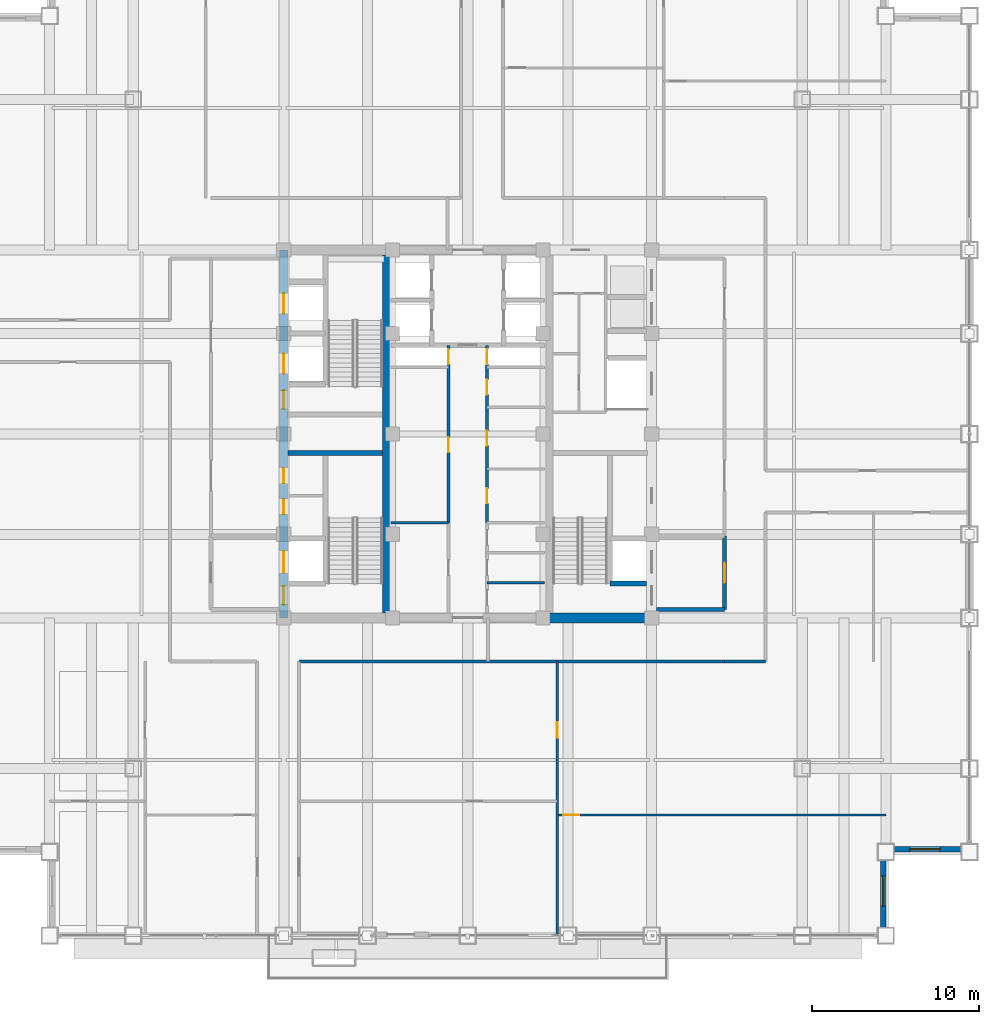
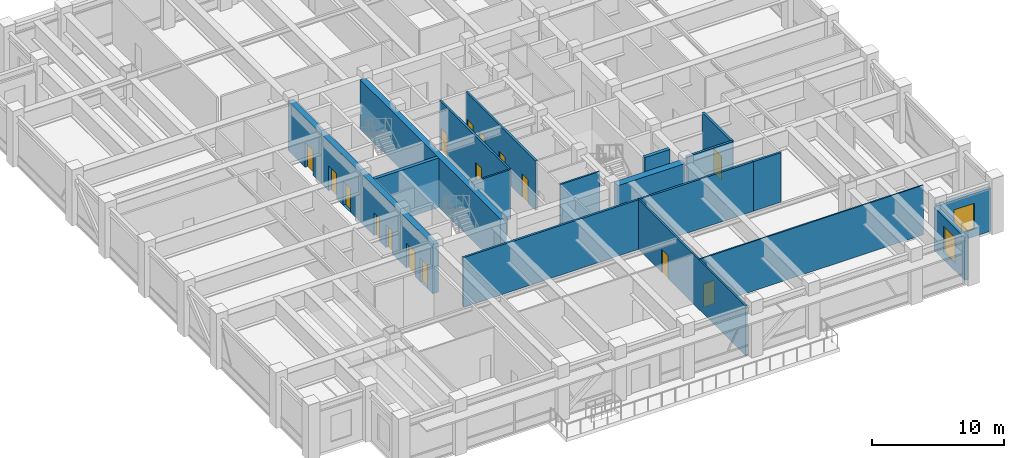
# One storey, part 24 of 33: 17 walls, 16 doors, 2 windows, 18 openings.
"""IFC4 building model written with IfcOpenShell, lengths in metres."""

from ifc_helpers import new_model, si_unit, direction, frame, frame_2d, origin, place, context, subcontext, project, spatial, rectangle, extrude, source, transform, mapped, material, layer, layer_set, type_object, element, fill, save


model = new_model("IFC4")

# Units and contexts
model_context = context("Model", 3, precision=1e-05, world=origin(), true_north=direction((0.0, 1.0)))
body_context = subcontext(model_context, "Body", "Model", "MODEL_VIEW")
ifc_project = project(units=[si_unit("LENGTHUNIT", "METRE"), si_unit("AREAUNIT", "SQUARE_METRE"), si_unit("VOLUMEUNIT", "CUBIC_METRE"), si_unit("PLANEANGLEUNIT", "RADIAN"), si_unit("MASSUNIT", "GRAM", prefix="KILO")], contexts=[model_context])

# Site, building, storey
site_placement = place(None, origin())
site = spatial("IfcSite", under=ifc_project, at=site_placement, CompositionType="ELEMENT")
building_placement = place(site_placement, origin())
building = spatial("IfcBuilding", under=site, at=building_placement, Name="Khorayat Bourse Tower", CompositionType="ELEMENT")
storey_placement = place(building_placement, frame((0.0, 0.0, 263.10009765625)))
storey = spatial("IfcBuildingStorey", under=building, at=storey_placement, Name="L62", CompositionType="ELEMENT", Elevation=263.10009765625)

# Wall, openings, doors
ifc_material_1 = material(Name="Concrete C52/65", Category="concrete")
ifc_layer_1 = layer(ifc_material_1, 0.5)
ifc_layer_set_1 = layer_set([ifc_layer_1], Name="Concrete C52/65")
wall_type_1 = type_object("IfcWallType", Name="WAL-CORE-500", PredefinedType="SHEAR", material=ifc_layer_set_1)
shared_shape_1 = source(origin(), body_context, "Body", "SweptSolid", [
    extrude(rectangle(XDim=22.0, YDim=0.5, at=frame_2d((11.0, 0.0))), origin(), (0.0, 0.0, 1.0), 4.599853515625),
])
wall_1_placement = place(storey_placement, frame((-11.0, -11.0, 0.0), z_axis=(0.0, 0.0, 1.0), x_axis=(0.0, 1.0, 0.0)))
wall_1 = element("IfcWall", 1, at=wall_1_placement, inside=storey, type_object=wall_type_1, Name="L62 Core Shear Wall CORE-W", PredefinedType="SHEAR", context=body_context, shape_type="MappedRepresentation", body=[
    mapped(shared_shape_1, transform((0.0, 0.0, 0.0), scale=1.0)),
])
shared_shape_2 = source(origin(), body_context, "Body", "SweptSolid", [
    extrude(rectangle(XDim=1.10009765625, YDim=2.199951171875, at=frame_2d((0.550048828125, 1.10009765625))), frame((0.0, 0.260009765625, 0.0), z_axis=(0.0, -1.0, 0.0), x_axis=(1.0, 0.0, 0.0)), (0.0, 0.0, 1.0), 0.52001953125),
])
opening_1_placement = place(wall_1_placement, frame((0.800048828125, 0.0, 0.0)))
opening_1 = element("IfcOpeningElement", 2, at=opening_1_placement, cuts=wall_1, Name="Opening DI-01", PredefinedType="OPENING", context=body_context, shape_type="MappedRepresentation", body=[
    mapped(shared_shape_2, transform((0.0, 0.0, 0.0), scale=1.0)),
])
opening_2_placement = place(wall_1_placement, frame((12.5, 0.0, 0.0)))
opening_2 = element("IfcOpeningElement", 3, at=opening_2_placement, cuts=wall_1, Name="Opening DI-01", PredefinedType="OPENING", context=body_context, shape_type="MappedRepresentation", body=[
    mapped(shared_shape_2, transform((0.0, 0.0, 0.0), scale=1.0)),
])
shared_shape_3 = source(origin(), body_context, "Body", "SweptSolid", [
    extrude(rectangle(XDim=0.89990234375, YDim=2.14990234375, at=frame_2d((0.449951171875, 1.074951171875))), frame((0.0, 0.260009765625, 0.0), z_axis=(0.0, -1.0, 0.0), x_axis=(1.0, 0.0, 0.0)), (0.0, 0.0, 1.0), 0.52001953125),
])
opening_3_placement = place(wall_1_placement, frame((6.199951171875, 0.0, 0.0)))
opening_3 = element("IfcOpeningElement", 4, at=opening_3_placement, cuts=wall_1, Name="Opening DI-06", PredefinedType="OPENING", context=body_context, shape_type="MappedRepresentation", body=[
    mapped(shared_shape_3, transform((0.0, 0.0, 0.0), scale=1.0)),
])
opening_4_placement = place(wall_1_placement, frame((8.050048828125, 0.0, 0.0)))
opening_4 = element("IfcOpeningElement", 5, at=opening_4_placement, cuts=wall_1, Name="Opening DI-06", PredefinedType="OPENING", context=body_context, shape_type="MappedRepresentation", body=[
    mapped(shared_shape_3, transform((0.0, 0.0, 0.0), scale=1.0)),
])
shared_shape_4 = source(origin(), body_context, "Body", "SweptSolid", [
    extrude(rectangle(XDim=1.199951171875, YDim=2.300048828125, at=frame_2d((0.60009765625, 1.14990234375))), frame((0.0, 0.260009765625, 0.0), z_axis=(0.0, -1.0, 0.0), x_axis=(1.0, 0.0, 0.0)), (0.0, 0.0, 1.0), 0.52001953125),
])
opening_5_placement = place(wall_1_placement, frame((14.60009765625, 0.0, 0.0)))
opening_5 = element("IfcOpeningElement", 6, at=opening_5_placement, cuts=wall_1, Name="Opening LD-01", PredefinedType="OPENING", context=body_context, shape_type="MappedRepresentation", body=[
    mapped(shared_shape_4, transform((0.0, 0.0, 0.0), scale=1.0)),
])
opening_6_placement = place(wall_1_placement, frame((18.199951171875, 0.0, 0.0)))
opening_6 = element("IfcOpeningElement", 7, at=opening_6_placement, cuts=wall_1, Name="Opening LD-01", PredefinedType="OPENING", context=body_context, shape_type="MappedRepresentation", body=[
    mapped(shared_shape_4, transform((0.0, 0.0, 0.0), scale=1.0)),
])
shared_shape_5 = source(origin(), body_context, "Body", "SweptSolid", [
    extrude(rectangle(XDim=1.300048828125, YDim=2.300048828125, at=frame_2d((0.64990234375, 1.14990234375))), frame((0.0, 0.260009765625, 0.0), z_axis=(0.0, -1.0, 0.0), x_axis=(1.0, 0.0, 0.0)), (0.0, 0.0, 1.0), 0.52001953125),
])
opening_7_placement = place(wall_1_placement, frame((2.699951171875, 0.0, 0.0)))
opening_7 = element("IfcOpeningElement", 8, at=opening_7_placement, cuts=wall_1, Name="Opening LD-02", PredefinedType="OPENING", context=body_context, shape_type="MappedRepresentation", body=[
    mapped(shared_shape_5, transform((0.0, 0.0, 0.0), scale=1.0)),
])
ifc_material_2 = material(Name="Fire-rated steel acoustic leaf", Category="steel")
door_type_1 = type_object("IfcDoorType", Name="DR-INT-STAIR-1100", OperationType="NOTDEFINED", PredefinedType="DOOR", material=ifc_material_2)
shared_shape_6 = source(origin(), body_context, "Body", "SweptSolid", [
    extrude(rectangle(XDim=1.10009765625, YDim=2.199951171875, at=frame_2d((0.550048828125, 1.10009765625))), frame((0.0, 0.02490234375, 0.0), z_axis=(0.0, -1.0, 0.0), x_axis=(1.0, 0.0, 0.0)), (0.0, 0.0, 1.0), 0.050048828125),
])
door_1_placement = place(opening_1_placement, origin())
door_1 = element("IfcDoor", 9, at=door_1_placement, inside=storey, type_object=door_type_1, Name="L62 Exit Stair 1 Door", OperationType="SINGLE_SWING_RIGHT", OverallHeight=2.199951171875, OverallWidth=1.10009765625, PredefinedType="DOOR", context=body_context, shape_type="MappedRepresentation", body=[
    mapped(shared_shape_6, transform((0.0, 0.0, 0.0), scale=1.0)),
])
fill(opening_1, door_1)
door_2_placement = place(opening_2_placement, origin())
door_2 = element("IfcDoor", 10, at=door_2_placement, inside=storey, type_object=door_type_1, Name="L62 Exit Stair 2 Door", OperationType="SINGLE_SWING_RIGHT", OverallHeight=2.199951171875, OverallWidth=1.10009765625, PredefinedType="DOOR", context=body_context, shape_type="MappedRepresentation", body=[
    mapped(shared_shape_6, transform((0.0, 0.0, 0.0), scale=1.0)),
])
fill(opening_2, door_2)
ifc_material_3 = material(Name="Moisture-resistant laminate washroom door")
door_type_2 = type_object("IfcDoorType", Name="DR-INT-WC-900", OperationType="NOTDEFINED", PredefinedType="DOOR", material=ifc_material_3)
shared_shape_7 = source(origin(), body_context, "Body", "SweptSolid", [
    extrude(rectangle(XDim=0.89990234375, YDim=2.14990234375, at=frame_2d((0.449951171875, 1.074951171875))), frame((0.0, 0.02490234375, 0.0), z_axis=(0.0, -1.0, 0.0), x_axis=(1.0, 0.0, 0.0)), (0.0, 0.0, 1.0), 0.050048828125),
])
door_3_placement = place(opening_3_placement, origin())
door_3 = element("IfcDoor", 11, at=door_3_placement, inside=storey, type_object=door_type_2, Name="L62 Electrical Plant Room Door", OperationType="SINGLE_SWING_RIGHT", OverallHeight=2.14990234375, OverallWidth=0.89990234375, PredefinedType="DOOR", context=body_context, shape_type="MappedRepresentation", body=[
    mapped(shared_shape_7, transform((0.0, 0.0, 0.0), scale=1.0)),
])
fill(opening_3, door_3)
door_4_placement = place(opening_4_placement, origin())
door_4 = element("IfcDoor", 12, at=door_4_placement, inside=storey, type_object=door_type_2, Name="L62 Cleaner Storage Room Door", OperationType="SINGLE_SWING_LEFT", OverallHeight=2.14990234375, OverallWidth=0.89990234375, PredefinedType="DOOR", context=body_context, shape_type="MappedRepresentation", body=[
    mapped(shared_shape_7, transform((0.0, 0.0, 0.0), scale=1.0)),
])
fill(opening_4, door_4)
ifc_material_4 = material(Name="Brushed bronze stainless-steel sliding door", Category="steel")
door_type_3 = type_object("IfcDoorType", Name="DR-LIFT-PASS-1200", OperationType="NOTDEFINED", PredefinedType="DOOR", material=ifc_material_4)
shared_shape_8 = source(origin(), body_context, "Body", "SweptSolid", [
    extrude(rectangle(XDim=1.199951171875, YDim=2.300048828125, at=frame_2d((0.60009765625, 1.14990234375))), frame((0.0, 0.02490234375, 0.0), z_axis=(0.0, -1.0, 0.0), x_axis=(1.0, 0.0, 0.0)), (0.0, 0.0, 1.0), 0.050048828125),
])
door_5_placement = place(opening_5_placement, origin())
door_5 = element("IfcDoor", 13, at=door_5_placement, inside=storey, type_object=door_type_3, Name="L62 Lift PL-H1 Sliding Landing Door", OperationType="SLIDING_TO_LEFT", OverallHeight=2.300048828125, OverallWidth=1.199951171875, PredefinedType="DOOR", context=body_context, shape_type="MappedRepresentation", body=[
    mapped(shared_shape_8, transform((0.0, 0.0, 0.0), scale=1.0)),
])
fill(opening_5, door_5)
door_6_placement = place(opening_6_placement, origin())
door_6 = element("IfcDoor", 14, at=door_6_placement, inside=storey, type_object=door_type_3, Name="L62 Lift PL-H2 Sliding Landing Door", OperationType="SLIDING_TO_LEFT", OverallHeight=2.300048828125, OverallWidth=1.199951171875, PredefinedType="DOOR", context=body_context, shape_type="MappedRepresentation", body=[
    mapped(shared_shape_8, transform((0.0, 0.0, 0.0), scale=1.0)),
])
fill(opening_6, door_6)
ifc_material_5 = material(Name="Fire-rated stainless-steel sliding landing door", Category="steel")
door_type_4 = type_object("IfcDoorType", Name="DR-LIFT-FF-1300", OperationType="NOTDEFINED", PredefinedType="DOOR", material=ifc_material_5)
shared_shape_9 = source(origin(), body_context, "Body", "SweptSolid", [
    extrude(rectangle(XDim=1.300048828125, YDim=2.300048828125, at=frame_2d((0.64990234375, 1.14990234375))), frame((0.0, 0.02490234375, 0.0), z_axis=(0.0, -1.0, 0.0), x_axis=(1.0, 0.0, 0.0)), (0.0, 0.0, 1.0), 0.050048828125),
])
door_7_placement = place(opening_7_placement, origin())
door_7 = element("IfcDoor", 15, at=door_7_placement, inside=storey, type_object=door_type_4, Name="L62 Lift FFL-01 Sliding Landing Door", OperationType="SLIDING_TO_LEFT", OverallHeight=2.300048828125, OverallWidth=1.300048828125, PredefinedType="DOOR", context=body_context, shape_type="MappedRepresentation", body=[
    mapped(shared_shape_9, transform((0.0, 0.0, 0.0), scale=1.0)),
])
fill(opening_7, door_7)

# Walls
shared_shape_10 = source(origin(), body_context, "Body", "SweptSolid", [
    extrude(rectangle(XDim=21.39990234375, YDim=0.5, at=frame_2d((10.699951171875, 0.0))), origin(), (0.0, 0.0, 1.0), 4.599853515625),
])
wall_2_placement = place(storey_placement, frame((-4.85009765625, -10.699951171875, 0.0), z_axis=(0.0, 0.0, 1.0), x_axis=(0.0, 1.0, 0.0)))
element("IfcWall", 16, at=wall_2_placement, inside=storey, type_object=wall_type_1, Name="L62 Core Shear Wall PIER-W", PredefinedType="SHEAR", context=body_context, shape_type="MappedRepresentation", body=[
    mapped(shared_shape_10, transform((0.0, 0.0, 0.0), scale=1.0)),
])
ifc_material_6 = material(Name="Concrete C60/75", Category="concrete")
ifc_layer_2 = layer(ifc_material_6, 0.60009765625)
ifc_layer_set_2 = layer_set([ifc_layer_2], Name="Concrete C60/75")
wall_type_2 = type_object("IfcWallType", Name="WAL-CORE-600", PredefinedType="SHEAR", material=ifc_layer_set_2)
shared_shape_11 = source(origin(), body_context, "Body", "SweptSolid", [
    extrude(rectangle(XDim=5.89990234375, YDim=0.60009765625, at=frame_2d((2.949951171875, 0.0))), origin(), (0.0, 0.0, 1.0), 4.599853515625),
])
wall_3_placement = place(storey_placement, frame((4.85009765625, -11.0, 0.0), z_axis=(0.0, 0.0, 1.0), x_axis=(1.0, 0.0, 0.0)))
element("IfcWall", 17, at=wall_3_placement, inside=storey, type_object=wall_type_2, Name="L62 Core Shear Wall PIER-ES", PredefinedType="SHEAR", context=body_context, shape_type="MappedRepresentation", body=[
    mapped(shared_shape_11, transform((0.0, 0.0, 0.0), scale=1.0)),
])
ifc_material_7 = material(Name="Concrete C50/60", Category="concrete")
ifc_layer_3 = layer(ifc_material_7, 0.300048828125)
ifc_layer_set_3 = layer_set([ifc_layer_3], Name="Concrete C50/60")
wall_type_3 = type_object("IfcWallType", Name="WAL-SHAFT-300", PredefinedType="SHEAR", material=ifc_layer_set_3)
shared_shape_12 = source(origin(), body_context, "Body", "SweptSolid", [
    extrude(rectangle(XDim=5.64990234375, YDim=0.300048828125, at=frame_2d((2.824951171875, 0.0))), origin(), (0.0, 0.0, 1.0), 4.599853515625),
])
wall_4_placement = place(storey_placement, frame((-10.75, -1.14990234375, 0.0), z_axis=(0.0, 0.0, 1.0), x_axis=(1.0, 0.0, 0.0)))
element("IfcWall", 18, at=wall_4_placement, inside=storey, type_object=wall_type_3, Name="L62 Core Shear Wall ST1-DIV", PredefinedType="SHEAR", context=body_context, shape_type="MappedRepresentation", body=[
    mapped(shared_shape_12, transform((0.0, 0.0, 0.0), scale=1.0)),
])

# Wall, opening, window
ifc_material_8 = material(Name="Precast concrete C45/55", Category="concrete")
ifc_layer_4 = layer(ifc_material_8, 0.320068359375)
ifc_layer_set_4 = layer_set([ifc_layer_4], Name="Precast concrete C45/55")
wall_type_4 = type_object("IfcWallType", Name="WAL-EXT-STONE-320", PredefinedType="STANDARD", material=ifc_layer_set_4)
shared_shape_13 = source(origin(), body_context, "Body", "SweptSolid", [
    extrude(rectangle(XDim=4.679931640625, YDim=0.320068359375, at=frame_2d((2.33984375, 0.0))), origin(), (0.0, 0.0, 1.0), 3.98388671875),
])
wall_5_placement = place(storey_placement, frame((24.840087890625, -29.679931640625, 0.0), z_axis=(0.0, 0.0, 1.0), x_axis=(0.0, 1.0, 0.0)))
wall_5 = element("IfcWall", 19, at=wall_5_placement, inside=storey, type_object=wall_type_4, Name="L62 Re-Entrant Notch Limestone Wall SE-V", PredefinedType="STANDARD", context=body_context, shape_type="MappedRepresentation", body=[
    mapped(shared_shape_13, transform((0.0, 0.0, 0.0), scale=1.0)),
])
shared_shape_14 = source(origin(), body_context, "Body", "SweptSolid", [
    extrude(rectangle(XDim=1.800048828125, YDim=2.39990234375, at=frame_2d((0.89990234375, 1.199951171875))), frame((0.0, 0.169921875, 0.0), z_axis=(0.0, -1.0, 0.0), x_axis=(1.0, 0.0, 0.0)), (0.0, 0.0, 1.0), 0.340087890625),
])
opening_8_placement = place(wall_5_placement, frame((1.43994140625, 0.0, 0.699951171875)))
opening_8 = element("IfcOpeningElement", 20, at=opening_8_placement, cuts=wall_5, Name="Opening WN-04", PredefinedType="OPENING", context=body_context, shape_type="MappedRepresentation", body=[
    mapped(shared_shape_14, transform((0.0, 0.0, 0.0), scale=1.0)),
])
ifc_material_9 = material(Name="Low-E acoustic laminated double glazing", Category="glass")
window_type = type_object("IfcWindowType", Name="WIN-NOTCH-1800x2400", PartitioningType="SINGLE_PANEL", PredefinedType="WINDOW", material=ifc_material_9)
shared_shape_15 = source(origin(), body_context, "Body", "SweptSolid", [
    extrude(rectangle(XDim=1.800048828125, YDim=2.39990234375, at=frame_2d((0.89990234375, 1.199951171875))), frame((0.0, 0.030029296875, 0.0), z_axis=(0.0, -1.0, 0.0), x_axis=(1.0, 0.0, 0.0)), (0.0, 0.0, 1.0), 0.06005859375),
])
window_1_placement = place(opening_8_placement, origin())
window_1 = element("IfcWindow", 21, at=window_1_placement, inside=storey, type_object=window_type, Name="L62 Facade Window 1", OverallHeight=2.39990234375, OverallWidth=1.800048828125, PartitioningType="SINGLE_PANEL", PredefinedType="WINDOW", context=body_context, shape_type="MappedRepresentation", body=[
    mapped(shared_shape_15, transform((0.0, 0.0, 0.0), scale=1.0)),
])
fill(opening_8, window_1)

wall_6_placement = place(storey_placement, frame((25.0, -24.840087890625, 0.0), z_axis=(0.0, 0.0, 1.0), x_axis=(1.0, 0.0, 0.0)))
wall_6 = element("IfcWall", 22, at=wall_6_placement, inside=storey, type_object=wall_type_4, Name="L62 Re-Entrant Notch Limestone Wall SE-H", PredefinedType="STANDARD", context=body_context, shape_type="MappedRepresentation", body=[
    mapped(shared_shape_13, transform((0.0, 0.0, 0.0), scale=1.0)),
])
opening_9_placement = place(wall_6_placement, frame((1.43994140625, 0.0, 0.699951171875)))
opening_9 = element("IfcOpeningElement", 23, at=opening_9_placement, cuts=wall_6, Name="Opening WN-04", PredefinedType="OPENING", context=body_context, shape_type="MappedRepresentation", body=[
    mapped(shared_shape_14, transform((0.0, 0.0, 0.0), scale=1.0)),
])
window_2_placement = place(opening_9_placement, origin())
window_2 = element("IfcWindow", 24, at=window_2_placement, inside=storey, type_object=window_type, Name="L62 Facade Window 1", OverallHeight=2.39990234375, OverallWidth=1.800048828125, PartitioningType="SINGLE_PANEL", PredefinedType="WINDOW", context=body_context, shape_type="MappedRepresentation", body=[
    mapped(shared_shape_15, transform((0.0, 0.0, 0.0), scale=1.0)),
])
fill(opening_9, window_2)

# Walls
shared_shape_16 = source(origin(), body_context, "Body", "SweptSolid", [
    extrude(rectangle(XDim=2.199951171875, YDim=0.300048828125, at=frame_2d((1.10009765625, 0.0))), origin(), (0.0, 0.0, 1.0), 4.599853515625),
])
wall_7_placement = place(storey_placement, frame((8.5, -8.949951171875, 0.0), z_axis=(0.0, 0.0, 1.0), x_axis=(1.0, 0.0, 0.0)))
element("IfcWall", 25, at=wall_7_placement, inside=storey, type_object=wall_type_3, Name="L62 Partition WAL-L62-EPIER-FF2S", PredefinedType="SHEAR", context=body_context, shape_type="MappedRepresentation", body=[
    mapped(shared_shape_16, transform((0.0, 0.0, 0.0), scale=1.0)),
])
ifc_material_10 = material(Name="Aerated concrete blockwork", Category="masonry")
ifc_layer_5 = layer(ifc_material_10, 0.219970703125)
ifc_layer_set_5 = layer_set([ifc_layer_5], Name="Aerated concrete blockwork")
wall_type_5 = type_object("IfcWallType", Name="WAL-PART-FF-220", PredefinedType="PARTITIONING", material=ifc_layer_set_5)
shared_shape_17 = source(origin(), body_context, "Body", "SweptSolid", [
    extrude(rectangle(XDim=4.050048828125, YDim=0.219970703125, at=frame_2d((2.02490234375, 0.0))), origin(), (0.0, 0.0, 1.0), 4.599853515625),
])
wall_8_placement = place(storey_placement, frame((11.300048828125, -10.5, 0.0), z_axis=(0.0, 0.0, 1.0), x_axis=(1.0, 0.0, 0.0)))
element("IfcWall", 26, at=wall_8_placement, inside=storey, type_object=wall_type_5, Name="L62 Partition WAL-L62-FFLE-S", PredefinedType="PARTITIONING", context=body_context, shape_type="MappedRepresentation", body=[
    mapped(shared_shape_17, transform((0.0, 0.0, 0.0), scale=1.0)),
])

# Wall, opening, door
shared_shape_18 = source(origin(), body_context, "Body", "SweptSolid", [
    extrude(rectangle(XDim=4.39990234375, YDim=0.219970703125, at=frame_2d((2.199951171875, 0.0))), origin(), (0.0, 0.0, 1.0), 4.599853515625),
])
wall_9_placement = place(storey_placement, frame((15.35009765625, -10.5, 0.0), z_axis=(0.0, 0.0, 1.0), x_axis=(0.0, 1.0, 0.0)))
wall_9 = element("IfcWall", 27, at=wall_9_placement, inside=storey, type_object=wall_type_5, Name="L62 Partition WAL-L62-FFLE-E", PredefinedType="PARTITIONING", context=body_context, shape_type="MappedRepresentation", body=[
    mapped(shared_shape_18, transform((0.0, 0.0, 0.0), scale=1.0)),
])
shared_shape_19 = source(origin(), body_context, "Body", "SweptSolid", [
    extrude(rectangle(XDim=1.199951171875, YDim=2.199951171875, at=frame_2d((0.60009765625, 1.10009765625))), frame((0.0, 0.119873046875, 0.0), z_axis=(0.0, -1.0, 0.0), x_axis=(1.0, 0.0, 0.0)), (0.0, 0.0, 1.0), 0.239990234375),
])
opening_10_placement = place(wall_9_placement, frame((1.60009765625, 0.0, 0.0)))
opening_10 = element("IfcOpeningElement", 28, at=opening_10_placement, cuts=wall_9, Name="Opening DI-02", PredefinedType="OPENING", context=body_context, shape_type="MappedRepresentation", body=[
    mapped(shared_shape_19, transform((0.0, 0.0, 0.0), scale=1.0)),
])
ifc_material_11 = material(Name="Fire-rated steel double-seal leaf", Category="steel")
door_type_5 = type_object("IfcDoorType", Name="DR-INT-FFLOBBY-1200", OperationType="NOTDEFINED", PredefinedType="DOOR", material=ifc_material_11)
shared_shape_20 = source(origin(), body_context, "Body", "SweptSolid", [
    extrude(rectangle(XDim=1.199951171875, YDim=2.199951171875, at=frame_2d((0.60009765625, 1.10009765625))), frame((0.0, 0.02490234375, 0.0), z_axis=(0.0, -1.0, 0.0), x_axis=(1.0, 0.0, 0.0)), (0.0, 0.0, 1.0), 0.050048828125),
])
door_8_placement = place(opening_10_placement, origin())
door_8 = element("IfcDoor", 29, at=door_8_placement, inside=storey, type_object=door_type_5, Name="L62 East Firefighting Lobby Door", OperationType="SINGLE_SWING_RIGHT", OverallHeight=2.199951171875, OverallWidth=1.199951171875, PredefinedType="DOOR", context=body_context, shape_type="MappedRepresentation", body=[
    mapped(shared_shape_20, transform((0.0, 0.0, 0.0), scale=1.0)),
])
fill(opening_10, door_8)

# Walls
ifc_material_12 = material(Name="Gypsum plasterboard twin-frame partition")
ifc_layer_6 = layer(ifc_material_12, 0.14990234375)
ifc_layer_set_6 = layer_set([ifc_layer_6], Name="Gypsum plasterboard twin-frame partition")
wall_type_6 = type_object("IfcWallType", Name="WAL-PART-SUITE-150", PredefinedType="PARTITIONING", material=ifc_layer_set_6)
shared_shape_21 = source(origin(), body_context, "Body", "SweptSolid", [
    extrude(rectangle(XDim=3.4501953125, YDim=0.14990234375, at=frame_2d((1.72509765625, 0.0))), origin(), (0.0, 0.0, 1.0), 4.599853515625),
])
wall_10_placement = place(storey_placement, frame((-4.60009765625, -5.300048828125, 0.0), z_axis=(0.0, 0.0, 1.0), x_axis=(1.0, 0.0, 0.0)))
element("IfcWall", 30, at=wall_10_placement, inside=storey, type_object=wall_type_6, Name="L62 Partition WAL-L62-FB1-NW", PredefinedType="PARTITIONING", context=body_context, shape_type="MappedRepresentation", body=[
    mapped(shared_shape_21, transform((0.0, 0.0, 0.0), scale=1.0)),
])
ifc_material_13 = material(Name="Moisture-resistant masonry partition", Category="masonry")
ifc_layer_7 = layer(ifc_material_13, 0.139892578125)
ifc_layer_set_7 = layer_set([ifc_layer_7], Name="Moisture-resistant masonry partition")
wall_type_7 = type_object("IfcWallType", Name="WAL-PART-WET-140", PredefinedType="PARTITIONING", material=ifc_layer_set_7)
shared_shape_22 = source(origin(), body_context, "Body", "SweptSolid", [
    extrude(rectangle(XDim=3.4501953125, YDim=0.139892578125, at=frame_2d((1.72509765625, 0.0))), origin(), (0.0, 0.0, 1.0), 4.599853515625),
])
wall_11_placement = place(storey_placement, frame((1.14990234375, -8.89990234375, 0.0), z_axis=(0.0, 0.0, 1.0), x_axis=(1.0, 0.0, 0.0)))
element("IfcWall", 31, at=wall_11_placement, inside=storey, type_object=wall_type_7, Name="L62 Partition WAL-L62-FB1E-D1", PredefinedType="PARTITIONING", context=body_context, shape_type="MappedRepresentation", body=[
    mapped(shared_shape_22, transform((0.0, 0.0, 0.0), scale=1.0)),
])

# Wall, openings, doors
ifc_material_14 = material(Name="Gypsum plasterboard acoustic stud wall")
ifc_layer_8 = layer(ifc_material_14, 0.179931640625)
ifc_layer_set_8 = layer_set([ifc_layer_8], Name="Gypsum plasterboard acoustic stud wall")
wall_type_8 = type_object("IfcWallType", Name="WAL-PART-CORR-180", PredefinedType="PARTITIONING", material=ifc_layer_set_8)
shared_shape_23 = source(origin(), body_context, "Body", "SweptSolid", [
    extrude(rectangle(XDim=10.60009765625, YDim=0.179931640625, at=frame_2d((5.300048828125, 0.0))), origin(), (0.0, 0.0, 1.0), 4.599853515625),
])
wall_12_placement = place(storey_placement, frame((-1.14990234375, -5.300048828125, 0.0), z_axis=(0.0, 0.0, 1.0), x_axis=(0.0, 1.0, 0.0)))
wall_12 = element("IfcWall", 32, at=wall_12_placement, inside=storey, type_object=wall_type_8, Name="L62 Partition WAL-L62-CMW-L", PredefinedType="PARTITIONING", context=body_context, shape_type="MappedRepresentation", body=[
    mapped(shared_shape_23, transform((0.0, 0.0, 0.0), scale=1.0)),
])
shared_shape_24 = source(origin(), body_context, "Body", "SweptSolid", [
    extrude(rectangle(XDim=0.89990234375, YDim=2.14990234375, at=frame_2d((0.449951171875, 1.074951171875))), frame((0.0, 0.099853515625, 0.0), z_axis=(0.0, -1.0, 0.0), x_axis=(1.0, 0.0, 0.0)), (0.0, 0.0, 1.0), 0.199951171875),
])
opening_11_placement = place(wall_12_placement, frame((4.199951171875, 0.0, 0.0)))
opening_11 = element("IfcOpeningElement", 33, at=opening_11_placement, cuts=wall_12, Name="Opening DI-06", PredefinedType="OPENING", context=body_context, shape_type="MappedRepresentation", body=[
    mapped(shared_shape_24, transform((0.0, 0.0, 0.0), scale=1.0)),
])
opening_12_placement = place(wall_12_placement, frame((9.47509765625, 0.0, 0.0)))
opening_12 = element("IfcOpeningElement", 34, at=opening_12_placement, cuts=wall_12, Name="Opening DI-06", PredefinedType="OPENING", context=body_context, shape_type="MappedRepresentation", body=[
    mapped(shared_shape_24, transform((0.0, 0.0, 0.0), scale=1.0)),
])
door_9_placement = place(opening_11_placement, origin())
door_9 = element("IfcDoor", 35, at=door_9_placement, inside=storey, type_object=door_type_2, Name="L62 Male Core Washroom Door", OperationType="SINGLE_SWING_RIGHT", OverallHeight=2.14990234375, OverallWidth=0.89990234375, PredefinedType="DOOR", context=body_context, shape_type="MappedRepresentation", body=[
    mapped(shared_shape_7, transform((0.0, 0.0, 0.0), scale=1.0)),
])
fill(opening_11, door_9)
door_10_placement = place(opening_12_placement, origin())
door_10 = element("IfcDoor", 36, at=door_10_placement, inside=storey, type_object=door_type_2, Name="L62 West Core Riser Door", OperationType="SINGLE_SWING_LEFT", OverallHeight=2.14990234375, OverallWidth=0.89990234375, PredefinedType="DOOR", context=body_context, shape_type="MappedRepresentation", body=[
    mapped(shared_shape_7, transform((0.0, 0.0, 0.0), scale=1.0)),
])
fill(opening_12, door_10)

wall_13_placement = place(storey_placement, frame((1.14990234375, -5.300048828125, 0.0), z_axis=(0.0, 0.0, 1.0), x_axis=(0.0, 1.0, 0.0)))
wall_13 = element("IfcWall", 37, at=wall_13_placement, inside=storey, type_object=wall_type_8, Name="L62 Partition WAL-L62-CME-L", PredefinedType="PARTITIONING", context=body_context, shape_type="MappedRepresentation", body=[
    mapped(shared_shape_23, transform((0.0, 0.0, 0.0), scale=1.0)),
])
opening_13_placement = place(wall_13_placement, frame((1.14990234375, 0.0, 0.0)))
opening_13 = element("IfcOpeningElement", 38, at=opening_13_placement, cuts=wall_13, Name="Opening DI-06", PredefinedType="OPENING", context=body_context, shape_type="MappedRepresentation", body=[
    mapped(shared_shape_24, transform((0.0, 0.0, 0.0), scale=1.0)),
])
opening_14_placement = place(wall_13_placement, frame((4.60009765625, 0.0, 0.0)))
opening_14 = element("IfcOpeningElement", 39, at=opening_14_placement, cuts=wall_13, Name="Opening DI-06", PredefinedType="OPENING", context=body_context, shape_type="MappedRepresentation", body=[
    mapped(shared_shape_24, transform((0.0, 0.0, 0.0), scale=1.0)),
])
opening_15_placement = place(wall_13_placement, frame((7.64990234375, 0.0, 0.0)))
opening_15 = element("IfcOpeningElement", 40, at=opening_15_placement, cuts=wall_13, Name="Opening DI-06", PredefinedType="OPENING", context=body_context, shape_type="MappedRepresentation", body=[
    mapped(shared_shape_24, transform((0.0, 0.0, 0.0), scale=1.0)),
])
opening_16_placement = place(wall_13_placement, frame((9.47509765625, 0.0, 0.0)))
opening_16 = element("IfcOpeningElement", 41, at=opening_16_placement, cuts=wall_13, Name="Opening DI-06", PredefinedType="OPENING", context=body_context, shape_type="MappedRepresentation", body=[
    mapped(shared_shape_24, transform((0.0, 0.0, 0.0), scale=1.0)),
])
door_11_placement = place(opening_13_placement, origin())
door_11 = element("IfcDoor", 42, at=door_11_placement, inside=storey, type_object=door_type_2, Name="L62 Female Core Washroom Door", OperationType="SINGLE_SWING_RIGHT", OverallHeight=2.14990234375, OverallWidth=0.89990234375, PredefinedType="DOOR", context=body_context, shape_type="MappedRepresentation", body=[
    mapped(shared_shape_7, transform((0.0, 0.0, 0.0), scale=1.0)),
])
fill(opening_13, door_11)
door_12_placement = place(opening_14_placement, origin())
door_12 = element("IfcDoor", 43, at=door_12_placement, inside=storey, type_object=door_type_2, Name="L62 Cleaners Store Door", OperationType="SINGLE_SWING_LEFT", OverallHeight=2.14990234375, OverallWidth=0.89990234375, PredefinedType="DOOR", context=body_context, shape_type="MappedRepresentation", body=[
    mapped(shared_shape_7, transform((0.0, 0.0, 0.0), scale=1.0)),
])
fill(opening_14, door_12)
door_13_placement = place(opening_15_placement, origin())
door_13 = element("IfcDoor", 44, at=door_13_placement, inside=storey, type_object=door_type_2, Name="L62 Meter and BMS Plant Room Door", OperationType="SINGLE_SWING_RIGHT", OverallHeight=2.14990234375, OverallWidth=0.89990234375, PredefinedType="DOOR", context=body_context, shape_type="MappedRepresentation", body=[
    mapped(shared_shape_7, transform((0.0, 0.0, 0.0), scale=1.0)),
])
fill(opening_15, door_13)
door_14_placement = place(opening_16_placement, origin())
door_14 = element("IfcDoor", 45, at=door_14_placement, inside=storey, type_object=door_type_2, Name="L62 East Core Riser Door", OperationType="SINGLE_SWING_RIGHT", OverallHeight=2.14990234375, OverallWidth=0.89990234375, PredefinedType="DOOR", context=body_context, shape_type="MappedRepresentation", body=[
    mapped(shared_shape_7, transform((0.0, 0.0, 0.0), scale=1.0)),
])
fill(opening_16, door_14)

# Wall
shared_shape_25 = source(origin(), body_context, "Body", "SweptSolid", [
    extrude(rectangle(XDim=2.449951171875, YDim=0.179931640625, at=frame_2d((1.22509765625, 0.0))), origin(), (0.0, 0.0, 1.0), 4.599853515625),
])
wall_14_placement = place(storey_placement, frame((15.35009765625, -13.60009765625, 0.0), z_axis=(0.0, 0.0, 1.0), x_axis=(1.0, 0.0, 0.0)))
element("IfcWall", 46, at=wall_14_placement, inside=storey, type_object=wall_type_8, Name="L62 Partition WAL-L62-C2-ES", PredefinedType="PARTITIONING", context=body_context, shape_type="MappedRepresentation", body=[
    mapped(shared_shape_25, transform((0.0, 0.0, 0.0), scale=1.0)),
])

# Wall, opening, door
shared_shape_26 = source(origin(), body_context, "Body", "SweptSolid", [
    extrude(rectangle(XDim=16.39990234375, YDim=0.14990234375, at=frame_2d((8.199951171875, 0.0))), origin(), (0.0, 0.0, 1.0), 4.599853515625),
])
wall_15_placement = place(storey_placement, frame((5.343994140625, -30.0, 0.0), z_axis=(0.0, 0.0, 1.0), x_axis=(0.0, 1.0, 0.0)))
wall_15 = element("IfcWall", 47, at=wall_15_placement, inside=storey, type_object=wall_type_6, Name="L62 Partition WAL-L62-QSEDV-1", PredefinedType="PARTITIONING", context=body_context, shape_type="MappedRepresentation", body=[
    mapped(shared_shape_26, transform((0.0, 0.0, 0.0), scale=1.0)),
])
shared_shape_27 = source(origin(), body_context, "Body", "SweptSolid", [
    extrude(rectangle(XDim=0.949951171875, YDim=2.14990234375, at=frame_2d((0.47509765625, 1.074951171875))), frame((0.0, 0.0849609375, 0.0), z_axis=(0.0, -1.0, 0.0), x_axis=(1.0, 0.0, 0.0)), (0.0, 0.0, 1.0), 0.169921875),
])
opening_17_placement = place(wall_15_placement, frame((11.824951171875, 0.0, 0.0)))
opening_17 = element("IfcOpeningElement", 48, at=opening_17_placement, cuts=wall_15, Name="Opening DI-05", PredefinedType="OPENING", context=body_context, shape_type="MappedRepresentation", body=[
    mapped(shared_shape_27, transform((0.0, 0.0, 0.0), scale=1.0)),
])
ifc_material_15 = material(Name="Acoustic oak veneer office door")
door_type_6 = type_object("IfcDoorType", Name="DR-INT-OFFICE-950", OperationType="NOTDEFINED", PredefinedType="DOOR", material=ifc_material_15)
shared_shape_28 = source(origin(), body_context, "Body", "SweptSolid", [
    extrude(rectangle(XDim=0.949951171875, YDim=2.14990234375, at=frame_2d((0.47509765625, 1.074951171875))), frame((0.0, 0.02490234375, 0.0), z_axis=(0.0, -1.0, 0.0), x_axis=(1.0, 0.0, 0.0)), (0.0, 0.0, 1.0), 0.050048828125),
])
door_15_placement = place(opening_17_placement, origin())
door_15 = element("IfcDoor", 49, at=door_15_placement, inside=storey, type_object=door_type_6, Name="L62 South-East Suite Link 1", OperationType="SINGLE_SWING_RIGHT", OverallHeight=2.14990234375, OverallWidth=0.949951171875, PredefinedType="DOOR", context=body_context, shape_type="MappedRepresentation", body=[
    mapped(shared_shape_28, transform((0.0, 0.0, 0.0), scale=1.0)),
])
fill(opening_17, door_15)

ifc_material_16 = material(Name="Gypsum plasterboard partition")
ifc_layer_9 = layer(ifc_material_16, 0.125)
ifc_layer_set_9 = layer_set([ifc_layer_9], Name="Gypsum plasterboard partition")
wall_type_9 = type_object("IfcWallType", Name="WAL-PART-ROOM-125", PredefinedType="PARTITIONING", material=ifc_layer_set_9)
shared_shape_29 = source(origin(), body_context, "Body", "SweptSolid", [
    extrude(rectangle(XDim=19.656005859375, YDim=0.125, at=frame_2d((9.828125, 0.0))), origin(), (0.0, 0.0, 1.0), 4.599853515625),
])
wall_16_placement = place(storey_placement, frame((5.343994140625, -22.783935546875, 0.0), z_axis=(0.0, 0.0, 1.0), x_axis=(1.0, 0.0, 0.0)))
wall_16 = element("IfcWall", 50, at=wall_16_placement, inside=storey, type_object=wall_type_9, Name="L62 Partition WAL-L62-QSEDP-2", PredefinedType="PARTITIONING", context=body_context, shape_type="MappedRepresentation", body=[
    mapped(shared_shape_29, transform((0.0, 0.0, 0.0), scale=1.0)),
])
shared_shape_30 = source(origin(), body_context, "Body", "SweptSolid", [
    extrude(rectangle(XDim=0.949951171875, YDim=2.14990234375, at=frame_2d((0.47509765625, 1.074951171875))), frame((0.0, 0.072509765625, 0.0), z_axis=(0.0, -1.0, 0.0), x_axis=(1.0, 0.0, 0.0)), (0.0, 0.0, 1.0), 0.14501953125),
])
opening_18_placement = place(wall_16_placement, frame((0.375, 0.0, 0.0)))
opening_18 = element("IfcOpeningElement", 51, at=opening_18_placement, cuts=wall_16, Name="Opening DI-05", PredefinedType="OPENING", context=body_context, shape_type="MappedRepresentation", body=[
    mapped(shared_shape_30, transform((0.0, 0.0, 0.0), scale=1.0)),
])
door_16_placement = place(opening_18_placement, origin())
door_16 = element("IfcDoor", 52, at=door_16_placement, inside=storey, type_object=door_type_6, Name="L62 South-East Catering Servery Kitchen 2B Door", OperationType="SINGLE_SWING_LEFT", OverallHeight=2.14990234375, OverallWidth=0.949951171875, PredefinedType="DOOR", context=body_context, shape_type="MappedRepresentation", body=[
    mapped(shared_shape_28, transform((0.0, 0.0, 0.0), scale=1.0)),
])
fill(opening_18, door_16)

# Wall
shared_shape_31 = source(origin(), body_context, "Body", "SweptSolid", [
    extrude(rectangle(XDim=25.4501953125, YDim=0.179931640625, at=frame_2d((12.72509765625, 0.0))), origin(), (0.0, 0.0, 1.0), 4.599853515625),
])
wall_17_placement = place(storey_placement, frame((-10.10009765625, -13.60009765625, 0.0), z_axis=(0.0, 0.0, 1.0), x_axis=(1.0, 0.0, 0.0)))
element("IfcWall", 53, at=wall_17_placement, inside=storey, type_object=wall_type_8, Name="L62 Partition WAL-L62-QSE-HC", PredefinedType="PARTITIONING", context=body_context, shape_type="MappedRepresentation", body=[
    mapped(shared_shape_31, transform((0.0, 0.0, 0.0), scale=1.0)),
])

save(model, "model.ifc")
